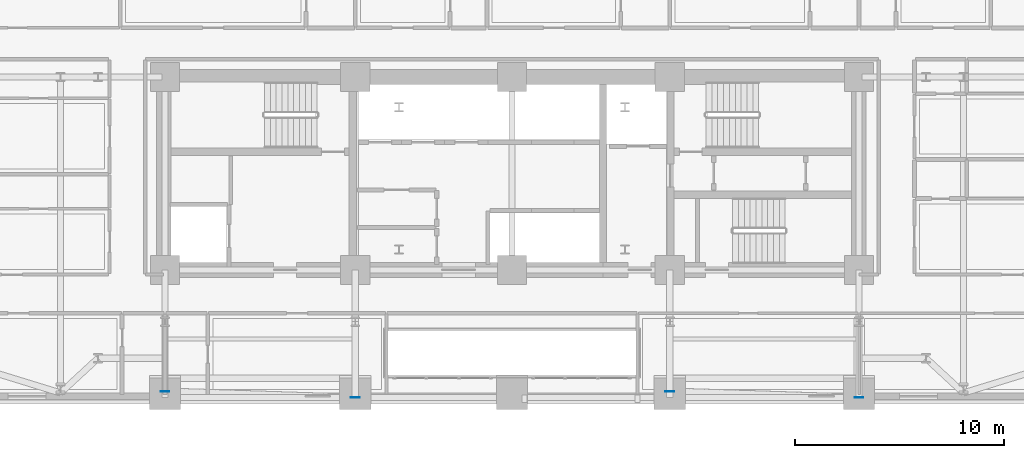
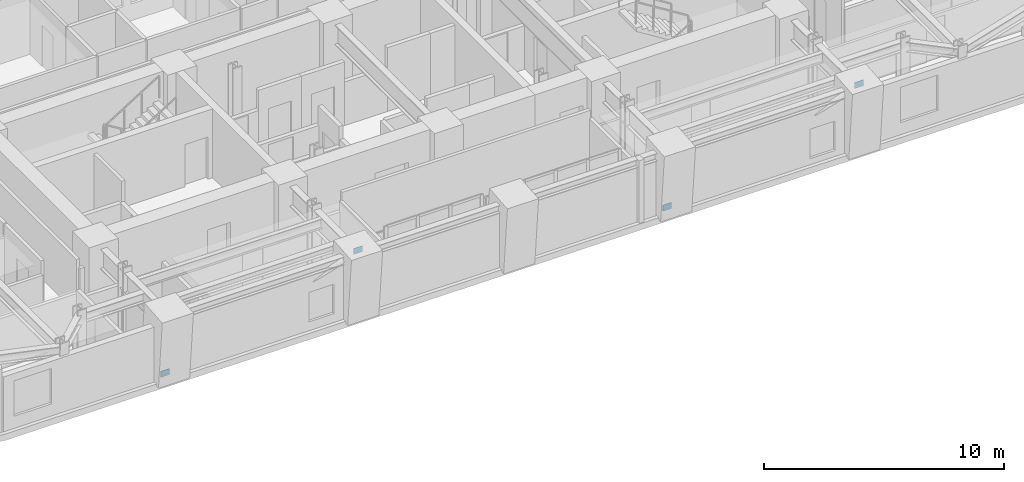
# One storey, part 6 of 16: 4 plates.
"""IFC4 building model written with IfcOpenShell, lengths in metres."""

from ifc_helpers import new_model, si_unit, direction, frame, origin, origin_2d, place, context, subcontext, project, spatial, rectangle, extrude, material, layer, layer_set, type_object, element, save


model = new_model("IFC4")

# Units and contexts
model_context = context("Model", 3, precision=1e-05, world=origin(), true_north=direction((0.0, 1.0)))
body_context = subcontext(model_context, "Body", "Model", "MODEL_VIEW")
ifc_project = project(units=[si_unit("LENGTHUNIT", "METRE"), si_unit("AREAUNIT", "SQUARE_METRE"), si_unit("VOLUMEUNIT", "CUBIC_METRE"), si_unit("PLANEANGLEUNIT", "RADIAN"), si_unit("MASSUNIT", "GRAM", prefix="KILO")], contexts=[model_context])

# Site, building, storey
site_placement = place(None, origin())
site = spatial("IfcSite", under=ifc_project, at=site_placement, CompositionType="ELEMENT")
building_placement = place(site_placement, origin())
building = spatial("IfcBuilding", under=site, at=building_placement, Name="Zarnavel Station Tower", CompositionType="ELEMENT")
storey_placement = place(building_placement, frame((0.0, 0.0, 46.5)))
storey = spatial("IfcBuildingStorey", under=building, at=storey_placement, Name="L12", CompositionType="ELEMENT", Elevation=46.5)

# Plates
ifc_material = material(Name="Steel S460M", Category="steel")
ifc_layer = layer(ifc_material, 0.02490234375)
ifc_layer_set = layer_set([ifc_layer], Name="GP_GUSSET_25")
plate_type = type_object("IfcPlateType", Name="GP_GUSSET_25", PredefinedType="USERDEFINED", material=ifc_layer_set)
for number, where, z_axis, x_axis, name in (
    (1, (12.199951171875, 22.01416015625, -0.14990234375), (0.0, 0.0, 1.0), (1.0, 0.0, 0.0), "L12 Exterior Diagonal Brace End Gusset 1-1"),
    (2, (21.300048828125, 21.720458984375, 3.08984375), (0.0, 0.0, 1.0), (1.0, 0.0, 0.0), "L12 Exterior Diagonal Brace End Gusset 1-2"),
    (3, (36.35009765625, 22.01416015625, -0.14990234375), (0.0, 0.0, 1.0), (1.0, 0.0, 0.0), "L12 Exterior Diagonal Brace End Gusset 2-1"),
    (4, (45.39990234375, 21.720458984375, 3.08984375), (0.0, 0.0, 1.0), (1.0, 0.0, 0.0), "L12 Exterior Diagonal Brace End Gusset 2-2"),
):
    element("IfcPlate", number, at=place(storey_placement, frame(where, z_axis=z_axis, x_axis=x_axis)), inside=storey, type_object=plate_type, Name=name, ObjectType="GUSSET_PLATE", PredefinedType="USERDEFINED", context=body_context, shape_type="SweptSolid", body=[
        extrude(rectangle(XDim=0.419921875, YDim=0.02490234375, at=origin_2d()), origin(), (0.0, 0.0, 1.0), 0.300048828125),
    ])

save(model, "model.ifc")
